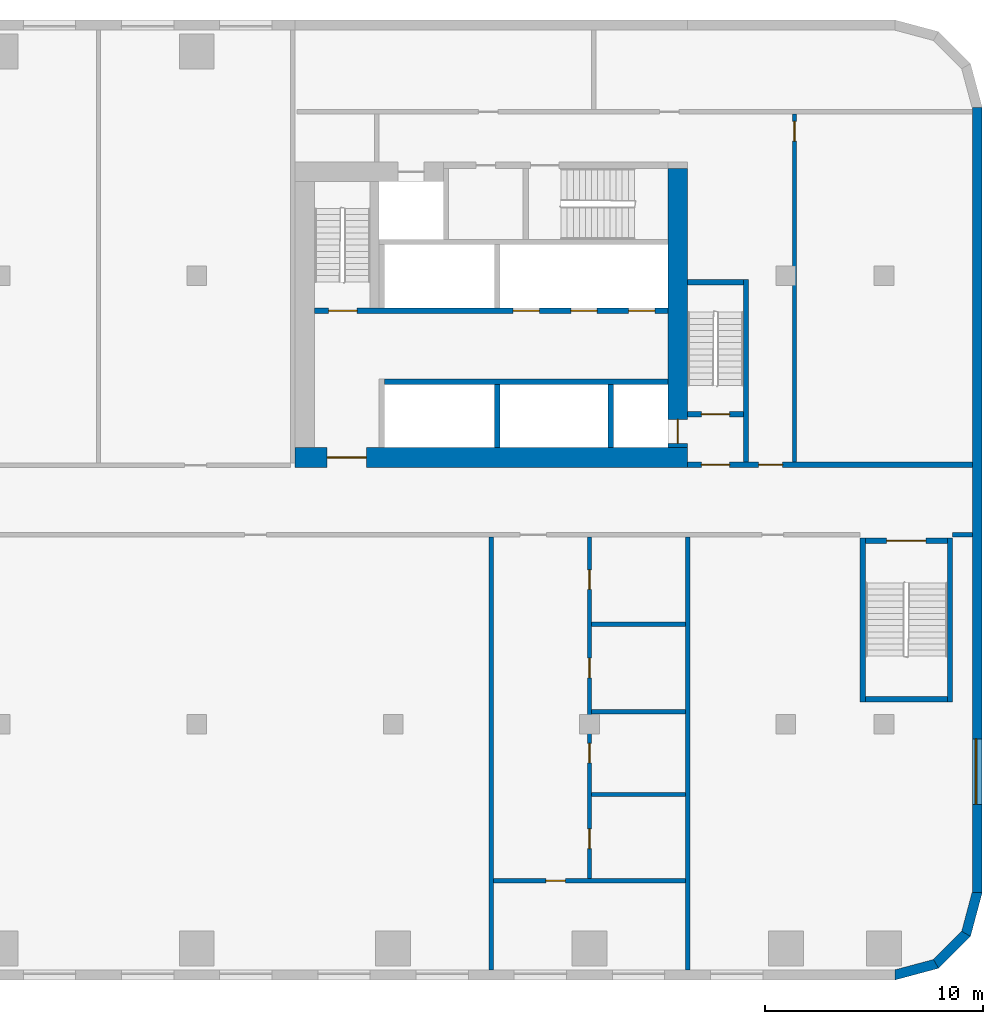
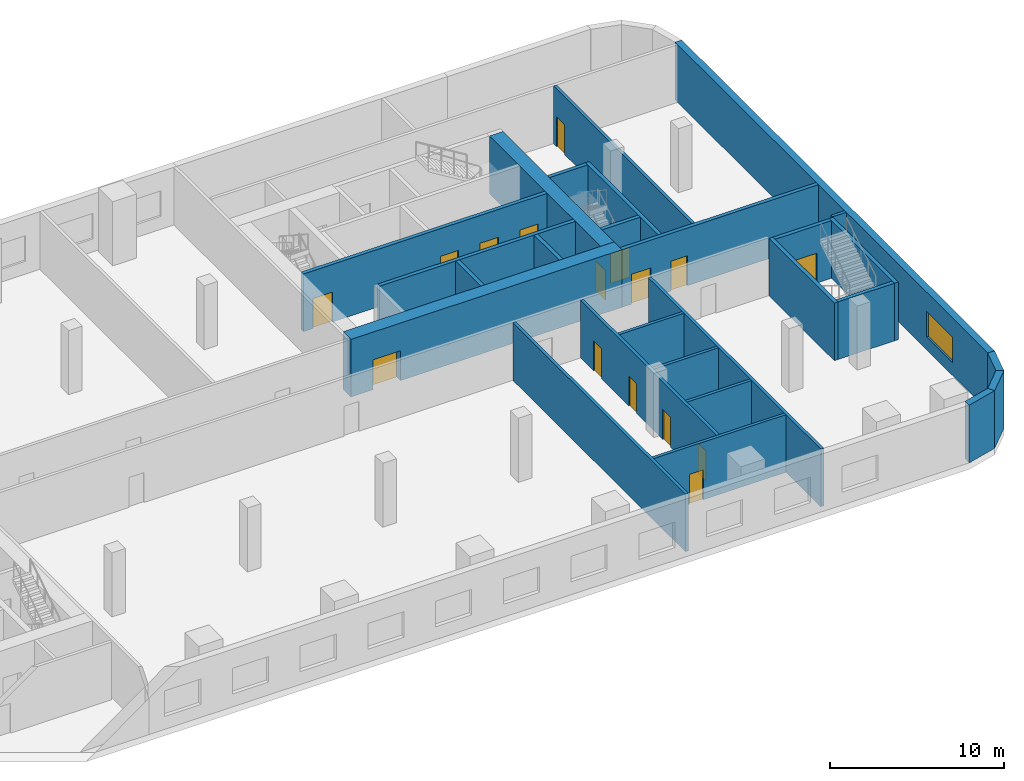
# One storey, part 6 of 15: 27 walls, 16 doors, 1 window, 17 openings.
"""IFC4 building model written with IfcOpenShell, lengths in metres."""

from ifc_helpers import new_model, si_unit, direction, frame, frame_2d, origin, place, context, subcontext, project, spatial, polyline, rectangle, outline, extrude, material, layer, layer_set, type_object, element, fill, save


model = new_model("IFC4")

# Units and contexts
model_context = context("Model", 3, precision=1e-05, world=origin(), true_north=direction((0.0, 1.0)))
body_context = subcontext(model_context, "Body", "Model", "MODEL_VIEW")
ifc_project = project(units=[si_unit("LENGTHUNIT", "METRE"), si_unit("AREAUNIT", "SQUARE_METRE"), si_unit("VOLUMEUNIT", "CUBIC_METRE"), si_unit("PLANEANGLEUNIT", "RADIAN"), si_unit("MASSUNIT", "GRAM", prefix="KILO")], contexts=[model_context])

# Site, building, storey
site_placement = place(None, origin())
site = spatial("IfcSite", under=ifc_project, at=site_placement, CompositionType="ELEMENT")
building_placement = place(site_placement, origin())
building = spatial("IfcBuilding", under=site, at=building_placement, Name="Kajstack Hotel Tower", CompositionType="ELEMENT")
storey_placement = place(building_placement, frame((0.0, 0.0, 29.0)))
storey = spatial("IfcBuildingStorey", under=building, at=storey_placement, Name="L04", CompositionType="ELEMENT", Elevation=29.0)

# Wall, opening, door
ifc_material_1 = material(Name="Concrete C60/75", Category="concrete")
ifc_layer_1 = layer(ifc_material_1, 0.89990234375)
ifc_layer_set_1 = layer_set([ifc_layer_1], Name="Core wall 900")
wall_type_1 = type_object("IfcWallType", Name="Core wall 900", PredefinedType="SHEAR", material=ifc_layer_set_1)
wall_1_placement = place(storey_placement, frame((13.5, 1.949951171875, 0.0), z_axis=(0.0, 0.0, 1.0), x_axis=(1.0, 0.0, 0.0)))
wall_1 = element("IfcWall", 1, at=wall_1_placement, inside=storey, type_object=wall_type_1, Name="Core wall E RN", PredefinedType="SHEAR", context=body_context, shape_type="SweptSolid", body=[
    extrude(rectangle(XDim=18.0, YDim=0.89990234375, at=frame_2d((9.0, 0.0))), origin(), (0.0, 0.0, 1.0), 4.050048828125),
])
opening_1_placement = place(wall_1_placement, frame((1.47509765625, 0.0, 0.0)))
opening_1 = element("IfcOpeningElement", 2, at=opening_1_placement, cuts=wall_1, Name="Opening 04E06", PredefinedType="OPENING", context=body_context, shape_type="SweptSolid", body=[
    extrude(rectangle(XDim=1.800048828125, YDim=2.10009765625, at=frame_2d((0.89990234375, 1.050048828125))), frame((0.0, 0.4599609375, 0.0), z_axis=(0.0, -1.0, 0.0), x_axis=(1.0, 0.0, 0.0)), (0.0, 0.0, 1.0), 0.919921875),
])
ifc_material_2 = material(Name="Glazed steel frame, fire-rated glass", Category="steel")
door_type_1 = type_object("IfcDoorType", Name="Lobby double door 1800", OperationType="DOUBLE_DOOR_DOUBLE_SWING", PredefinedType="DOOR", material=ifc_material_2)
door_1_placement = place(opening_1_placement, origin())
door_1 = element("IfcDoor", 3, at=door_1_placement, inside=storey, type_object=door_type_1, Name="Door 04E06", OperationType="DOUBLE_DOOR_DOUBLE_SWING", OverallHeight=2.10009765625, OverallWidth=1.800048828125, PredefinedType="DOOR", context=body_context, shape_type="SweptSolid", body=[
    extrude(rectangle(XDim=1.800048828125, YDim=2.10009765625, at=frame_2d((0.89990234375, 1.050048828125))), frame((0.0, 0.02490234375, 0.0), z_axis=(0.0, -1.0, 0.0), x_axis=(1.0, 0.0, 0.0)), (0.0, 0.0, 1.0), 0.050048828125),
])
fill(opening_1, door_1)

wall_2_placement = place(storey_placement, frame((31.050048828125, 2.39990234375, 0.0), z_axis=(0.0, 0.0, 1.0), x_axis=(0.0, 1.0, 0.0)))
wall_2 = element("IfcWall", 4, at=wall_2_placement, inside=storey, type_object=wall_type_1, Name="Core wall E RW", PredefinedType="SHEAR", context=body_context, shape_type="SweptSolid", body=[
    extrude(rectangle(XDim=12.800048828125, YDim=0.89990234375, at=frame_2d((6.39990234375, 0.0))), origin(), (0.0, 0.0, 1.0), 4.050048828125),
])
opening_2_placement = place(wall_2_placement, frame((0.199951171875, 0.0, 0.0)))
opening_2 = element("IfcOpeningElement", 5, at=opening_2_placement, cuts=wall_2, Name="Opening LD-FF2", PredefinedType="OPENING", context=body_context, shape_type="SweptSolid", body=[
    extrude(rectangle(XDim=1.10009765625, YDim=2.10009765625, at=frame_2d((0.550048828125, 1.050048828125))), frame((0.0, 0.4599609375, 0.0), z_axis=(0.0, -1.0, 0.0), x_axis=(1.0, 0.0, 0.0)), (0.0, 0.0, 1.0), 0.919921875),
])
ifc_material_3 = material(Name="Stainless steel", Category="steel")
door_type_2 = type_object("IfcDoorType", Name="Fire-fighting lift landing door 1100", OperationType="SLIDING_TO_LEFT", PredefinedType="DOOR", material=ifc_material_3)
door_2_placement = place(opening_2_placement, origin())
door_2 = element("IfcDoor", 6, at=door_2_placement, inside=storey, type_object=door_type_2, Name="Landing door FF2", OperationType="SLIDING_TO_LEFT", OverallHeight=2.10009765625, OverallWidth=1.10009765625, PredefinedType="DOOR", context=body_context, shape_type="SweptSolid", body=[
    extrude(rectangle(XDim=1.10009765625, YDim=2.10009765625, at=frame_2d((0.550048828125, 1.050048828125))), frame((0.0, 0.02490234375, 0.0), z_axis=(0.0, -1.0, 0.0), x_axis=(1.0, 0.0, 0.0)), (0.0, 0.0, 1.0), 0.050048828125),
])
fill(opening_2, door_2)

# Walls
ifc_material_4 = material(Name="Terracotta-faced brick masonry", Category="masonry")
ifc_layer_2 = layer(ifc_material_4, 0.449951171875)
ifc_layer_set_2 = layer_set([ifc_layer_2], Name="EW-TERRA")
wall_type_2 = type_object("IfcWallType", Name="EW-TERRA", PredefinedType="SOLIDWALL", material=ifc_layer_set_2)
wall_3_placement = place(storey_placement, frame((40.941650390625, -21.78271484375, 0.0), z_axis=(0.0, 0.0, 1.0), x_axis=(0.965926999034, 0.25881466832, 0.0)))
element("IfcWall", 7, at=wall_3_placement, inside=storey, type_object=wall_type_2, Name="E-wall-L04-04-00", PredefinedType="SOLIDWALL", context=body_context, shape_type="SweptSolid", body=[
    extrude(outline(polyline([(0.000244140625, -0.22509765625), (2.070556640625, -0.224853515625), (1.9501953125, 0.22509765625), (0.12060546875, 0.22509765625), (0.000244140625, -0.22509765625)])), origin(), (0.0, 0.0, 1.0), 4.050048828125),
])
wall_4_placement = place(storey_placement, frame((42.8408203125, -21.304931640625, 0.0), z_axis=(0.0, 0.0, 1.0), x_axis=(0.707106781187, 0.707106781187, 0.0)))
element("IfcWall", 8, at=wall_4_placement, inside=storey, type_object=wall_type_2, Name="E-wall-L04-05-00", PredefinedType="SOLIDWALL", context=body_context, shape_type="SweptSolid", body=[
    extrude(outline(polyline([(0.0, -0.22509765625), (2.070556640625, -0.22509765625), (1.949951171875, 0.224853515625), (0.12060546875, 0.224853515625), (0.0, -0.22509765625)])), origin(), (0.0, 0.0, 1.0), 4.050048828125),
])
wall_5_placement = place(storey_placement, frame((44.246826171875, -19.941650390625, 0.0), z_axis=(0.0, 0.0, 1.0), x_axis=(0.25881466832, 0.965926999034, 0.0)))
element("IfcWall", 9, at=wall_5_placement, inside=storey, type_object=wall_type_2, Name="E-wall-L04-06-00", PredefinedType="SOLIDWALL", context=body_context, shape_type="SweptSolid", body=[
    extrude(outline(polyline([(-0.000244140625, -0.224853515625), (2.0703125, -0.22509765625), (1.949951171875, 0.22509765625), (0.120361328125, 0.22509765625), (-0.000244140625, -0.224853515625)])), origin(), (0.0, 0.0, 1.0), 4.050048828125),
])

# Wall, opening, window
wall_6_placement = place(storey_placement, frame((44.77490234375, -18.0, 0.0), z_axis=(0.0, 0.0, 1.0), x_axis=(0.0, 1.0, 0.0)))
wall_6 = element("IfcWall", 10, at=wall_6_placement, inside=storey, type_object=wall_type_2, Name="E-wall-L04-07-00", PredefinedType="SOLIDWALL", context=body_context, shape_type="SweptSolid", body=[
    extrude(rectangle(XDim=36.0, YDim=0.449951171875, at=frame_2d((18.0, 0.0))), origin(), (0.0, 0.0, 1.0), 4.050048828125),
])
opening_3_placement = place(wall_6_placement, frame((4.050048828125, 0.0, 0.89990234375)))
opening_3 = element("IfcOpeningElement", 11, at=opening_3_placement, cuts=wall_6, Name="Opening W5", PredefinedType="OPENING", context=body_context, shape_type="SweptSolid", body=[
    extrude(rectangle(XDim=3.0, YDim=1.800048828125, at=frame_2d((1.5, 0.89990234375))), frame((0.0, 0.23486328125, 0.0), z_axis=(0.0, -1.0, 0.0), x_axis=(1.0, 0.0, 0.0)), (0.0, 0.0, 1.0), 0.469970703125),
])
ifc_material_5 = material(Name="Timber-aluminium window, triple glazed", Category="wood")
window_type = type_object("IfcWindowType", Name="WP2", PartitioningType="SINGLE_PANEL", PredefinedType="WINDOW", material=ifc_material_5)
window_placement = place(opening_3_placement, origin())
window = element("IfcWindow", 12, at=window_placement, inside=storey, type_object=window_type, Name="Window W5 L04-07", OverallHeight=1.800048828125, OverallWidth=3.0, PartitioningType="SINGLE_PANEL", PredefinedType="WINDOW", context=body_context, shape_type="SweptSolid", body=[
    extrude(rectangle(XDim=3.0, YDim=1.800048828125, at=frame_2d((1.5, 0.89990234375))), frame((0.0, 0.090087890625, 0.0), z_axis=(0.0, -1.0, 0.0), x_axis=(1.0, 0.0, 0.0)), (0.0, 0.0, 1.0), 0.06005859375),
])
fill(opening_3, window)

# Walls
ifc_material_6 = material(Name="Concrete C50/60", Category="concrete")
ifc_layer_3 = layer(ifc_material_6, 0.300048828125)
ifc_layer_set_3 = layer_set([ifc_layer_3], Name="Hoistway divider wall 300")
wall_type_3 = type_object("IfcWallType", Name="Hoistway divider wall 300", PredefinedType="SHEAR", material=ifc_layer_set_3)
wall_7_placement = place(storey_placement, frame((22.77490234375, 2.39990234375, 0.0), z_axis=(0.0, 0.0, 1.0), x_axis=(0.0, 1.0, 0.0)))
element("IfcWall", 13, at=wall_7_placement, inside=storey, type_object=wall_type_3, Name="Core wall E AP2", PredefinedType="SHEAR", context=body_context, shape_type="SweptSolid", body=[
    extrude(rectangle(XDim=2.900146484375, YDim=0.25, at=frame_2d((1.4501953125, 0.0))), origin(), (0.0, 0.0, 1.0), 4.050048828125),
])
ifc_material_7 = material(Name="Gypsum board on steel studs, mineral wool", Category="steel")
ifc_layer_4 = layer(ifc_material_7, 0.199951171875)
ifc_layer_set_4 = layer_set([ifc_layer_4], Name="Public partition 200")
wall_type_4 = type_object("IfcWallType", Name="Public partition 200", PredefinedType="PARTITIONING", material=ifc_layer_set_4)
wall_8_placement = place(storey_placement, frame((22.5, -21.550048828125, 0.0), z_axis=(0.0, 0.0, 1.0), x_axis=(0.0, 1.0, 0.0)))
element("IfcWall", 14, at=wall_8_placement, inside=storey, type_object=wall_type_4, Name="Partition SPX0", PredefinedType="PARTITIONING", context=body_context, shape_type="SweptSolid", body=[
    extrude(rectangle(XDim=19.85009765625, YDim=0.199951171875, at=frame_2d((9.925048828125, 0.0))), origin(), (0.0, 0.0, 1.0), 4.050048828125),
])

# Wall, openings, doors
wall_9_placement = place(storey_placement, frame((27.0, -17.35009765625, 0.0), z_axis=(0.0, 0.0, 1.0), x_axis=(0.0, 1.0, 0.0)))
wall_9 = element("IfcWall", 15, at=wall_9_placement, inside=storey, type_object=wall_type_4, Name="Partition SC1CW", PredefinedType="PARTITIONING", context=body_context, shape_type="SweptSolid", body=[
    extrude(rectangle(XDim=15.650146484375, YDim=0.199951171875, at=frame_2d((7.8251953125, 0.0))), origin(), (0.0, 0.0, 1.0), 4.050048828125),
])
opening_4_placement = place(wall_9_placement, frame((13.25, 0.0, 0.0)))
opening_4 = element("IfcOpeningElement", 16, at=opening_4_placement, cuts=wall_9, Name="Opening 04P15", PredefinedType="OPENING", context=body_context, shape_type="SweptSolid", body=[
    extrude(rectangle(XDim=0.89990234375, YDim=2.10009765625, at=frame_2d((0.449951171875, 1.050048828125))), frame((0.0, 0.10986328125, 0.0), z_axis=(0.0, -1.0, 0.0), x_axis=(1.0, 0.0, 0.0)), (0.0, 0.0, 1.0), 0.219970703125),
])
opening_5_placement = place(wall_9_placement, frame((9.199951171875, 0.0, 0.0)))
opening_5 = element("IfcOpeningElement", 17, at=opening_5_placement, cuts=wall_9, Name="Opening 04P16", PredefinedType="OPENING", context=body_context, shape_type="SweptSolid", body=[
    extrude(rectangle(XDim=0.89990234375, YDim=2.10009765625, at=frame_2d((0.449951171875, 1.050048828125))), frame((0.0, 0.10986328125, 0.0), z_axis=(0.0, -1.0, 0.0), x_axis=(1.0, 0.0, 0.0)), (0.0, 0.0, 1.0), 0.219970703125),
])
opening_6_placement = place(wall_9_placement, frame((5.300048828125, 0.0, 0.0)))
opening_6 = element("IfcOpeningElement", 18, at=opening_6_placement, cuts=wall_9, Name="Opening 04P17", PredefinedType="OPENING", context=body_context, shape_type="SweptSolid", body=[
    extrude(rectangle(XDim=0.89990234375, YDim=2.10009765625, at=frame_2d((0.449951171875, 1.050048828125))), frame((0.0, 0.10986328125, 0.0), z_axis=(0.0, -1.0, 0.0), x_axis=(1.0, 0.0, 0.0)), (0.0, 0.0, 1.0), 0.219970703125),
])
opening_7_placement = place(wall_9_placement, frame((1.375, 0.0, 0.0)))
opening_7 = element("IfcOpeningElement", 19, at=opening_7_placement, cuts=wall_9, Name="Opening 04P18", PredefinedType="OPENING", context=body_context, shape_type="SweptSolid", body=[
    extrude(rectangle(XDim=0.89990234375, YDim=2.10009765625, at=frame_2d((0.449951171875, 1.050048828125))), frame((0.0, 0.10986328125, 0.0), z_axis=(0.0, -1.0, 0.0), x_axis=(1.0, 0.0, 0.0)), (0.0, 0.0, 1.0), 0.219970703125),
])
ifc_material_8 = material(Name="Timber leaf", Category="wood")
door_type_3 = type_object("IfcDoorType", Name="Public room door 900", OperationType="SINGLE_SWING_LEFT", PredefinedType="DOOR", material=ifc_material_8)
door_3_placement = place(opening_4_placement, origin())
door_3 = element("IfcDoor", 20, at=door_3_placement, inside=storey, type_object=door_type_3, Name="Door 04P15", OperationType="SINGLE_SWING_RIGHT", OverallHeight=2.10009765625, OverallWidth=0.89990234375, PredefinedType="DOOR", context=body_context, shape_type="SweptSolid", body=[
    extrude(rectangle(XDim=0.89990234375, YDim=2.10009765625, at=frame_2d((0.449951171875, 1.050048828125))), frame((0.0, 0.02490234375, 0.0), z_axis=(0.0, -1.0, 0.0), x_axis=(1.0, 0.0, 0.0)), (0.0, 0.0, 1.0), 0.050048828125),
])
fill(opening_4, door_3)
door_4_placement = place(opening_5_placement, origin())
door_4 = element("IfcDoor", 21, at=door_4_placement, inside=storey, type_object=door_type_3, Name="Door 04P16", OperationType="SINGLE_SWING_RIGHT", OverallHeight=2.10009765625, OverallWidth=0.89990234375, PredefinedType="DOOR", context=body_context, shape_type="SweptSolid", body=[
    extrude(rectangle(XDim=0.89990234375, YDim=2.10009765625, at=frame_2d((0.449951171875, 1.050048828125))), frame((0.0, 0.02490234375, 0.0), z_axis=(0.0, -1.0, 0.0), x_axis=(1.0, 0.0, 0.0)), (0.0, 0.0, 1.0), 0.050048828125),
])
fill(opening_5, door_4)
door_5_placement = place(opening_6_placement, origin())
door_5 = element("IfcDoor", 22, at=door_5_placement, inside=storey, type_object=door_type_3, Name="Door 04P17", OperationType="SINGLE_SWING_RIGHT", OverallHeight=2.10009765625, OverallWidth=0.89990234375, PredefinedType="DOOR", context=body_context, shape_type="SweptSolid", body=[
    extrude(rectangle(XDim=0.89990234375, YDim=2.10009765625, at=frame_2d((0.449951171875, 1.050048828125))), frame((0.0, 0.02490234375, 0.0), z_axis=(0.0, -1.0, 0.0), x_axis=(1.0, 0.0, 0.0)), (0.0, 0.0, 1.0), 0.050048828125),
])
fill(opening_6, door_5)
door_6_placement = place(opening_7_placement, origin())
door_6 = element("IfcDoor", 23, at=door_6_placement, inside=storey, type_object=door_type_3, Name="Door 04P18", OperationType="SINGLE_SWING_RIGHT", OverallHeight=2.10009765625, OverallWidth=0.89990234375, PredefinedType="DOOR", context=body_context, shape_type="SweptSolid", body=[
    extrude(rectangle(XDim=0.89990234375, YDim=2.10009765625, at=frame_2d((0.449951171875, 1.050048828125))), frame((0.0, 0.02490234375, 0.0), z_axis=(0.0, -1.0, 0.0), x_axis=(1.0, 0.0, 0.0)), (0.0, 0.0, 1.0), 0.050048828125),
])
fill(opening_7, door_6)

# Walls
for number, where, z_axis, x_axis, name in (
    (24, (27.10009765625, -5.699951171875, 0.0), (0.0, 0.0, 1.0), (1.0, 0.0, 0.0), "Partition SC1wP0"),
    (25, (27.10009765625, -9.699951171875, 0.0), (0.0, 0.0, 1.0), (1.0, 0.0, 0.0), "Partition SC1wP1"),
    (26, (27.10009765625, -13.5, 0.0), (0.0, 0.0, 1.0), (1.0, 0.0, 0.0), "Partition SC1wP2"),
):
    element("IfcWall", number, at=place(storey_placement, frame(where, z_axis=z_axis, x_axis=x_axis)), inside=storey, type_object=wall_type_4, Name=name, PredefinedType="PARTITIONING", context=body_context, shape_type="SweptSolid", body=[
        extrude(rectangle(XDim=4.2998046875, YDim=0.199951171875, at=frame_2d((2.14990234375, 0.0))), origin(), (0.0, 0.0, 1.0), 4.050048828125),
    ])

# Wall, opening, door
wall_10_placement = place(storey_placement, frame((22.60009765625, -17.449951171875, 0.0), z_axis=(0.0, 0.0, 1.0), x_axis=(1.0, 0.0, 0.0)))
wall_10 = element("IfcWall", 27, at=wall_10_placement, inside=storey, type_object=wall_type_4, Name="Partition SC1BW", PredefinedType="PARTITIONING", context=body_context, shape_type="SweptSolid", body=[
    extrude(rectangle(XDim=8.7998046875, YDim=0.199951171875, at=frame_2d((4.39990234375, 0.0))), origin(), (0.0, 0.0, 1.0), 4.050048828125),
])
opening_8_placement = place(wall_10_placement, frame((2.39990234375, 0.0, 0.0)))
opening_8 = element("IfcOpeningElement", 28, at=opening_8_placement, cuts=wall_10, Name="Opening 04P19", PredefinedType="OPENING", context=body_context, shape_type="SweptSolid", body=[
    extrude(rectangle(XDim=0.89990234375, YDim=2.10009765625, at=frame_2d((0.449951171875, 1.050048828125))), frame((0.0, 0.10986328125, 0.0), z_axis=(0.0, -1.0, 0.0), x_axis=(1.0, 0.0, 0.0)), (0.0, 0.0, 1.0), 0.219970703125),
])
door_7_placement = place(opening_8_placement, origin())
door_7 = element("IfcDoor", 29, at=door_7_placement, inside=storey, type_object=door_type_3, Name="Door 04P19", OperationType="SINGLE_SWING_RIGHT", OverallHeight=2.10009765625, OverallWidth=0.89990234375, PredefinedType="DOOR", context=body_context, shape_type="SweptSolid", body=[
    extrude(rectangle(XDim=0.89990234375, YDim=2.10009765625, at=frame_2d((0.449951171875, 1.050048828125))), frame((0.0, 0.02490234375, 0.0), z_axis=(0.0, -1.0, 0.0), x_axis=(1.0, 0.0, 0.0)), (0.0, 0.0, 1.0), 0.050048828125),
])
fill(opening_8, door_7)

# Walls
wall_11_placement = place(storey_placement, frame((31.5, -21.550048828125, 0.0), z_axis=(0.0, 0.0, 1.0), x_axis=(0.0, 1.0, 0.0)))
element("IfcWall", 30, at=wall_11_placement, inside=storey, type_object=wall_type_4, Name="Partition SPX1", PredefinedType="PARTITIONING", context=body_context, shape_type="SweptSolid", body=[
    extrude(rectangle(XDim=19.85009765625, YDim=0.199951171875, at=frame_2d((9.925048828125, 0.0))), origin(), (0.0, 0.0, 1.0), 4.050048828125),
])
wall_12_placement = place(storey_placement, frame((43.64990234375, -1.60009765625, 0.0), z_axis=(0.0, 0.0, 1.0), x_axis=(1.0, 0.0, 0.0)))
element("IfcWall", 31, at=wall_12_placement, inside=storey, type_object=wall_type_4, Name="Partition SFWW", PredefinedType="PARTITIONING", context=body_context, shape_type="SweptSolid", body=[
    extrude(rectangle(XDim=0.900146484375, YDim=0.199951171875, at=frame_2d((0.4501953125, 0.0))), origin(), (0.0, 0.0, 1.0), 4.050048828125),
])

# Wall, openings, doors
ifc_layer_5 = layer(ifc_material_7, 0.199951171875)
ifc_layer_set_5 = layer_set([ifc_layer_5], Name="Service partition 200")
wall_type_5 = type_object("IfcWallType", Name="Service partition 200", PredefinedType="PARTITIONING", material=ifc_layer_set_5)
wall_13_placement = place(storey_placement, frame((31.5, 1.625, 0.0), z_axis=(0.0, 0.0, 1.0), x_axis=(1.0, 0.0, 0.0)))
wall_13 = element("IfcWall", 32, at=wall_13_placement, inside=storey, type_object=wall_type_5, Name="Partition E SN", PredefinedType="PARTITIONING", context=body_context, shape_type="SweptSolid", body=[
    extrude(rectangle(XDim=13.050048828125, YDim=0.25, at=frame_2d((6.52490234375, 0.0))), origin(), (0.0, 0.0, 1.0), 4.050048828125),
])
opening_9_placement = place(wall_13_placement, frame((0.625, 0.0, 0.0)))
opening_9 = element("IfcOpeningElement", 33, at=opening_9_placement, cuts=wall_13, Name="Opening 04E07", PredefinedType="OPENING", context=body_context, shape_type="SweptSolid", body=[
    extrude(rectangle(XDim=1.300048828125, YDim=2.10009765625, at=frame_2d((0.64990234375, 1.050048828125))), frame((0.0, 0.135009765625, 0.0), z_axis=(0.0, -1.0, 0.0), x_axis=(1.0, 0.0, 0.0)), (0.0, 0.0, 1.0), 0.27001953125),
])
opening_10_placement = place(wall_13_placement, frame((3.25, 0.0, 0.0)))
opening_10 = element("IfcOpeningElement", 34, at=opening_10_placement, cuts=wall_13, Name="Opening 04E09", PredefinedType="OPENING", context=body_context, shape_type="SweptSolid", body=[
    extrude(rectangle(XDim=1.10009765625, YDim=2.10009765625, at=frame_2d((0.550048828125, 1.050048828125))), frame((0.0, 0.135009765625, 0.0), z_axis=(0.0, -1.0, 0.0), x_axis=(1.0, 0.0, 0.0)), (0.0, 0.0, 1.0), 0.27001953125),
])
ifc_material_9 = material(Name="Steel leaf, fire-rated", Category="steel")
door_type_4 = type_object("IfcDoorType", Name="Fire lobby door 1300", OperationType="SINGLE_SWING_LEFT", PredefinedType="DOOR", material=ifc_material_9)
door_8_placement = place(opening_9_placement, origin())
door_8 = element("IfcDoor", 35, at=door_8_placement, inside=storey, type_object=door_type_4, Name="Door 04E07", OperationType="SINGLE_SWING_LEFT", OverallHeight=2.10009765625, OverallWidth=1.300048828125, PredefinedType="DOOR", context=body_context, shape_type="SweptSolid", body=[
    extrude(rectangle(XDim=1.300048828125, YDim=2.10009765625, at=frame_2d((0.64990234375, 1.050048828125))), frame((0.0, 0.02490234375, 0.0), z_axis=(0.0, -1.0, 0.0), x_axis=(1.0, 0.0, 0.0)), (0.0, 0.0, 1.0), 0.050048828125),
])
fill(opening_9, door_8)
ifc_material_10 = material(Name="Timber leaf, fire-rated", Category="wood")
door_type_5 = type_object("IfcDoorType", Name="Service corridor door 1100", OperationType="SINGLE_SWING_LEFT", PredefinedType="DOOR", material=ifc_material_10)
door_9_placement = place(opening_10_placement, origin())
door_9 = element("IfcDoor", 36, at=door_9_placement, inside=storey, type_object=door_type_5, Name="Door 04E09", OperationType="SINGLE_SWING_LEFT", OverallHeight=2.10009765625, OverallWidth=1.10009765625, PredefinedType="DOOR", context=body_context, shape_type="SweptSolid", body=[
    extrude(rectangle(XDim=1.10009765625, YDim=2.10009765625, at=frame_2d((0.550048828125, 1.050048828125))), frame((0.0, 0.02490234375, 0.0), z_axis=(0.0, -1.0, 0.0), x_axis=(1.0, 0.0, 0.0)), (0.0, 0.0, 1.0), 0.050048828125),
])
fill(opening_10, door_9)

# Wall, opening, door
wall_14_placement = place(storey_placement, frame((36.39990234375, 1.75, 0.0), z_axis=(0.0, 0.0, 1.0), x_axis=(0.0, 1.0, 0.0)))
wall_14 = element("IfcWall", 37, at=wall_14_placement, inside=storey, type_object=wall_type_5, Name="Partition E WRE", PredefinedType="PARTITIONING", context=body_context, shape_type="SweptSolid", body=[
    extrude(rectangle(XDim=15.949951171875, YDim=0.199951171875, at=frame_2d((7.97509765625, 0.0))), origin(), (0.0, 0.0, 1.0), 4.050048828125),
])
opening_11_placement = place(wall_14_placement, frame((14.699951171875, 0.0, 0.0)))
opening_11 = element("IfcOpeningElement", 38, at=opening_11_placement, cuts=wall_14, Name="Opening 04E15", PredefinedType="OPENING", context=body_context, shape_type="SweptSolid", body=[
    extrude(rectangle(XDim=0.89990234375, YDim=2.10009765625, at=frame_2d((0.449951171875, 1.050048828125))), frame((0.0, 0.10986328125, 0.0), z_axis=(0.0, -1.0, 0.0), x_axis=(1.0, 0.0, 0.0)), (0.0, 0.0, 1.0), 0.219970703125),
])
door_type_6 = type_object("IfcDoorType", Name="Service door 900", OperationType="SINGLE_SWING_LEFT", PredefinedType="DOOR", material=ifc_material_10)
door_10_placement = place(opening_11_placement, origin())
door_10 = element("IfcDoor", 39, at=door_10_placement, inside=storey, type_object=door_type_6, Name="Door 04E15", OperationType="SINGLE_SWING_RIGHT", OverallHeight=2.10009765625, OverallWidth=0.89990234375, PredefinedType="DOOR", context=body_context, shape_type="SweptSolid", body=[
    extrude(rectangle(XDim=0.89990234375, YDim=2.10009765625, at=frame_2d((0.449951171875, 1.050048828125))), frame((0.0, 0.02490234375, 0.0), z_axis=(0.0, -1.0, 0.0), x_axis=(1.0, 0.0, 0.0)), (0.0, 0.0, 1.0), 0.050048828125),
])
fill(opening_11, door_10)

# Walls
ifc_layer_6 = layer(ifc_material_6, 0.25)
ifc_layer_set_6 = layer_set([ifc_layer_6], Name="Shaft wall 250")
wall_type_6 = type_object("IfcWallType", Name="Shaft wall 250", PredefinedType="SHEAR", material=ifc_layer_set_6)
wall_15_placement = place(storey_placement, frame((17.60009765625, 5.425048828125, 0.0), z_axis=(0.0, 0.0, 1.0), x_axis=(1.0, 0.0, 0.0)))
element("IfcWall", 40, at=wall_15_placement, inside=storey, type_object=wall_type_6, Name="Core wall E FA", PredefinedType="SHEAR", context=body_context, shape_type="SweptSolid", body=[
    extrude(rectangle(XDim=13.0, YDim=0.25, at=frame_2d((6.5, 0.0))), origin(), (0.0, 0.0, 1.0), 4.050048828125),
])
wall_16_placement = place(storey_placement, frame((27.97509765625, 2.39990234375, 0.0), z_axis=(0.0, 0.0, 1.0), x_axis=(0.0, 1.0, 0.0)))
element("IfcWall", 41, at=wall_16_placement, inside=storey, type_object=wall_type_6, Name="Core wall E AP0", PredefinedType="SHEAR", context=body_context, shape_type="SweptSolid", body=[
    extrude(rectangle(XDim=2.900146484375, YDim=0.25, at=frame_2d((1.4501953125, 0.0))), origin(), (0.0, 0.0, 1.0), 4.050048828125),
])

# Wall, openings, doors
wall_17_placement = place(storey_placement, frame((14.39990234375, 8.675048828125, 0.0), z_axis=(0.0, 0.0, 1.0), x_axis=(1.0, 0.0, 0.0)))
wall_17 = element("IfcWall", 42, at=wall_17_placement, inside=storey, type_object=wall_type_6, Name="Core wall E FB", PredefinedType="SHEAR", context=body_context, shape_type="SweptSolid", body=[
    extrude(rectangle(XDim=16.2001953125, YDim=0.25, at=frame_2d((8.10009765625, 0.0))), origin(), (0.0, 0.0, 1.0), 4.050048828125),
])
opening_12_placement = place(wall_17_placement, frame((14.39990234375, 0.0, 0.0)))
opening_12 = element("IfcOpeningElement", 43, at=opening_12_placement, cuts=wall_17, Name="Opening LD-LR4", PredefinedType="OPENING", context=body_context, shape_type="SweptSolid", body=[
    extrude(rectangle(XDim=1.199951171875, YDim=2.10009765625, at=frame_2d((0.60009765625, 1.050048828125))), frame((0.0, 0.135009765625, 0.0), z_axis=(0.0, -1.0, 0.0), x_axis=(1.0, 0.0, 0.0)), (0.0, 0.0, 1.0), 0.27001953125),
])
opening_13_placement = place(wall_17_placement, frame((11.75, 0.0, 0.0)))
opening_13 = element("IfcOpeningElement", 44, at=opening_13_placement, cuts=wall_17, Name="Opening LD-LR5", PredefinedType="OPENING", context=body_context, shape_type="SweptSolid", body=[
    extrude(rectangle(XDim=1.199951171875, YDim=2.10009765625, at=frame_2d((0.60009765625, 1.050048828125))), frame((0.0, 0.135009765625, 0.0), z_axis=(0.0, -1.0, 0.0), x_axis=(1.0, 0.0, 0.0)), (0.0, 0.0, 1.0), 0.27001953125),
])
opening_14_placement = place(wall_17_placement, frame((9.10009765625, 0.0, 0.0)))
opening_14 = element("IfcOpeningElement", 45, at=opening_14_placement, cuts=wall_17, Name="Opening LD-LR6", PredefinedType="OPENING", context=body_context, shape_type="SweptSolid", body=[
    extrude(rectangle(XDim=1.199951171875, YDim=2.10009765625, at=frame_2d((0.60009765625, 1.050048828125))), frame((0.0, 0.135009765625, 0.0), z_axis=(0.0, -1.0, 0.0), x_axis=(1.0, 0.0, 0.0)), (0.0, 0.0, 1.0), 0.27001953125),
])
opening_15_placement = place(wall_17_placement, frame((0.64990234375, 0.0, 0.0)))
opening_15 = element("IfcOpeningElement", 46, at=opening_15_placement, cuts=wall_17, Name="Opening 04E10", PredefinedType="OPENING", context=body_context, shape_type="SweptSolid", body=[
    extrude(rectangle(XDim=1.300048828125, YDim=2.10009765625, at=frame_2d((0.64990234375, 1.050048828125))), frame((0.0, 0.135009765625, 0.0), z_axis=(0.0, -1.0, 0.0), x_axis=(1.0, 0.0, 0.0)), (0.0, 0.0, 1.0), 0.27001953125),
])
door_type_7 = type_object("IfcDoorType", Name="Lift landing door 1200", OperationType="SLIDING_TO_LEFT", PredefinedType="DOOR", material=ifc_material_3)
door_11_placement = place(opening_12_placement, origin())
door_11 = element("IfcDoor", 47, at=door_11_placement, inside=storey, type_object=door_type_7, Name="Landing door LR4", OperationType="SLIDING_TO_LEFT", OverallHeight=2.10009765625, OverallWidth=1.199951171875, PredefinedType="DOOR", context=body_context, shape_type="SweptSolid", body=[
    extrude(rectangle(XDim=1.199951171875, YDim=2.10009765625, at=frame_2d((0.60009765625, 1.050048828125))), frame((0.0, 0.02490234375, 0.0), z_axis=(0.0, -1.0, 0.0), x_axis=(1.0, 0.0, 0.0)), (0.0, 0.0, 1.0), 0.050048828125),
])
fill(opening_12, door_11)
door_12_placement = place(opening_13_placement, origin())
door_12 = element("IfcDoor", 48, at=door_12_placement, inside=storey, type_object=door_type_7, Name="Landing door LR5", OperationType="SLIDING_TO_RIGHT", OverallHeight=2.10009765625, OverallWidth=1.199951171875, PredefinedType="DOOR", context=body_context, shape_type="SweptSolid", body=[
    extrude(rectangle(XDim=1.199951171875, YDim=2.10009765625, at=frame_2d((0.60009765625, 1.050048828125))), frame((0.0, 0.02490234375, 0.0), z_axis=(0.0, -1.0, 0.0), x_axis=(1.0, 0.0, 0.0)), (0.0, 0.0, 1.0), 0.050048828125),
])
fill(opening_13, door_12)
door_13_placement = place(opening_14_placement, origin())
door_13 = element("IfcDoor", 49, at=door_13_placement, inside=storey, type_object=door_type_7, Name="Landing door LR6", OperationType="SLIDING_TO_RIGHT", OverallHeight=2.10009765625, OverallWidth=1.199951171875, PredefinedType="DOOR", context=body_context, shape_type="SweptSolid", body=[
    extrude(rectangle(XDim=1.199951171875, YDim=2.10009765625, at=frame_2d((0.60009765625, 1.050048828125))), frame((0.0, 0.02490234375, 0.0), z_axis=(0.0, -1.0, 0.0), x_axis=(1.0, 0.0, 0.0)), (0.0, 0.0, 1.0), 0.050048828125),
])
fill(opening_14, door_13)
door_type_8 = type_object("IfcDoorType", Name="Stair door 1300", OperationType="SINGLE_SWING_LEFT", PredefinedType="DOOR", material=ifc_material_9)
door_14_placement = place(opening_15_placement, origin())
door_14 = element("IfcDoor", 50, at=door_14_placement, inside=storey, type_object=door_type_8, Name="Door 04E10", OperationType="SINGLE_SWING_LEFT", OverallHeight=2.10009765625, OverallWidth=1.300048828125, PredefinedType="DOOR", context=body_context, shape_type="SweptSolid", body=[
    extrude(rectangle(XDim=1.300048828125, YDim=2.10009765625, at=frame_2d((0.64990234375, 1.050048828125))), frame((0.0, 0.02490234375, 0.0), z_axis=(0.0, -1.0, 0.0), x_axis=(1.0, 0.0, 0.0)), (0.0, 0.0, 1.0), 0.050048828125),
])
fill(opening_15, door_14)

# Wall, opening, door
ifc_material_11 = material(Name="Concrete C40/50", Category="concrete")
ifc_layer_7 = layer(ifc_material_11, 0.25)
ifc_layer_set_7 = layer_set([ifc_layer_7], Name="Stair enclosure wall 250")
wall_type_7 = type_object("IfcWallType", Name="Stair enclosure wall 250", PredefinedType="SHEAR", material=ifc_layer_set_7)
wall_18_placement = place(storey_placement, frame((31.5, 3.925048828125, 0.0), z_axis=(0.0, 0.0, 1.0), x_axis=(1.0, 0.0, 0.0)))
wall_18 = element("IfcWall", 51, at=wall_18_placement, inside=storey, type_object=wall_type_7, Name="Core wall E W1N", PredefinedType="SHEAR", context=body_context, shape_type="SweptSolid", body=[
    extrude(rectangle(XDim=2.550048828125, YDim=0.25, at=frame_2d((1.27490234375, 0.0))), origin(), (0.0, 0.0, 1.0), 4.050048828125),
])
opening_16_placement = place(wall_18_placement, frame((0.625, 0.0, 0.0)))
opening_16 = element("IfcOpeningElement", 52, at=opening_16_placement, cuts=wall_18, Name="Opening 04E08", PredefinedType="OPENING", context=body_context, shape_type="SweptSolid", body=[
    extrude(rectangle(XDim=1.300048828125, YDim=2.10009765625, at=frame_2d((0.64990234375, 1.050048828125))), frame((0.0, 0.135009765625, 0.0), z_axis=(0.0, -1.0, 0.0), x_axis=(1.0, 0.0, 0.0)), (0.0, 0.0, 1.0), 0.27001953125),
])
door_15_placement = place(opening_16_placement, origin())
door_15 = element("IfcDoor", 53, at=door_15_placement, inside=storey, type_object=door_type_8, Name="Door 04E08", OperationType="SINGLE_SWING_LEFT", OverallHeight=2.10009765625, OverallWidth=1.300048828125, PredefinedType="DOOR", context=body_context, shape_type="SweptSolid", body=[
    extrude(rectangle(XDim=1.300048828125, YDim=2.10009765625, at=frame_2d((0.64990234375, 1.050048828125))), frame((0.0, 0.02490234375, 0.0), z_axis=(0.0, -1.0, 0.0), x_axis=(1.0, 0.0, 0.0)), (0.0, 0.0, 1.0), 0.050048828125),
])
fill(opening_16, door_15)

# Walls
wall_19_placement = place(storey_placement, frame((34.175048828125, 1.75, 0.0), z_axis=(0.0, 0.0, 1.0), x_axis=(0.0, 1.0, 0.0)))
element("IfcWall", 54, at=wall_19_placement, inside=storey, type_object=wall_type_7, Name="Core wall E W1W", PredefinedType="SHEAR", context=body_context, shape_type="SweptSolid", body=[
    extrude(rectangle(XDim=8.35009765625, YDim=0.25, at=frame_2d((4.175048828125, 0.0))), origin(), (0.0, 0.0, 1.0), 4.050048828125),
])
wall_20_placement = place(storey_placement, frame((31.5, 9.97509765625, 0.0), z_axis=(0.0, 0.0, 1.0), x_axis=(1.0, 0.0, 0.0)))
element("IfcWall", 55, at=wall_20_placement, inside=storey, type_object=wall_type_7, Name="Core wall E W1S", PredefinedType="SHEAR", context=body_context, shape_type="SweptSolid", body=[
    extrude(rectangle(XDim=2.550048828125, YDim=0.25, at=frame_2d((1.27490234375, 0.0))), origin(), (0.0, 0.0, 1.0), 4.050048828125),
])
for number, where, z_axis, x_axis, name in (
    (56, (39.52490234375, -9.25, 0.0), (0.0, 0.0, 1.0), (0.0, 1.0, 0.0), "Stair wall P2 W"),
    (57, (43.52490234375, -9.25, 0.0), (0.0, 0.0, 1.0), (0.0, 1.0, 0.0), "Stair wall P2 E"),
):
    element("IfcWall", number, at=place(storey_placement, frame(where, z_axis=z_axis, x_axis=x_axis)), inside=storey, type_object=wall_type_7, Name=name, PredefinedType="SHEAR", context=body_context, shape_type="SweptSolid", body=[
        extrude(rectangle(XDim=7.5, YDim=0.25, at=frame_2d((3.75, 0.0))), origin(), (0.0, 0.0, 1.0), 4.050048828125),
    ])
wall_21_placement = place(storey_placement, frame((39.64990234375, -9.125, 0.0), z_axis=(0.0, 0.0, 1.0), x_axis=(1.0, 0.0, 0.0)))
element("IfcWall", 58, at=wall_21_placement, inside=storey, type_object=wall_type_7, Name="Stair wall P2 F", PredefinedType="SHEAR", context=body_context, shape_type="SweptSolid", body=[
    extrude(rectangle(XDim=3.75, YDim=0.25, at=frame_2d((1.875, 0.0))), origin(), (0.0, 0.0, 1.0), 4.050048828125),
])

# Wall, opening, door
wall_22_placement = place(storey_placement, frame((39.64990234375, -1.875, 0.0), z_axis=(0.0, 0.0, 1.0), x_axis=(1.0, 0.0, 0.0)))
wall_22 = element("IfcWall", 59, at=wall_22_placement, inside=storey, type_object=wall_type_7, Name="Stair wall P2 N", PredefinedType="SHEAR", context=body_context, shape_type="SweptSolid", body=[
    extrude(rectangle(XDim=3.75, YDim=0.25, at=frame_2d((1.875, 0.0))), origin(), (0.0, 0.0, 1.0), 4.050048828125),
])
opening_17_placement = place(wall_22_placement, frame((0.97509765625, 0.0, 0.0)))
opening_17 = element("IfcOpeningElement", 60, at=opening_17_placement, cuts=wall_22, Name="Opening 04P2", PredefinedType="OPENING", context=body_context, shape_type="SweptSolid", body=[
    extrude(rectangle(XDim=1.800048828125, YDim=2.10009765625, at=frame_2d((0.89990234375, 1.050048828125))), frame((0.0, 0.135009765625, 0.0), z_axis=(0.0, -1.0, 0.0), x_axis=(1.0, 0.0, 0.0)), (0.0, 0.0, 1.0), 0.27001953125),
])
door_type_9 = type_object("IfcDoorType", Name="Stair door 1800", OperationType="DOUBLE_DOOR_DOUBLE_SWING", PredefinedType="DOOR", material=ifc_material_9)
door_16_placement = place(opening_17_placement, origin())
door_16 = element("IfcDoor", 61, at=door_16_placement, inside=storey, type_object=door_type_9, Name="Door 04P2", OperationType="DOUBLE_DOOR_DOUBLE_SWING", OverallHeight=2.10009765625, OverallWidth=1.800048828125, PredefinedType="DOOR", context=body_context, shape_type="SweptSolid", body=[
    extrude(rectangle(XDim=1.800048828125, YDim=2.10009765625, at=frame_2d((0.89990234375, 1.050048828125))), frame((0.0, 0.02490234375, 0.0), z_axis=(0.0, -1.0, 0.0), x_axis=(1.0, 0.0, 0.0)), (0.0, 0.0, 1.0), 0.050048828125),
])
fill(opening_17, door_16)

save(model, "model.ifc")
